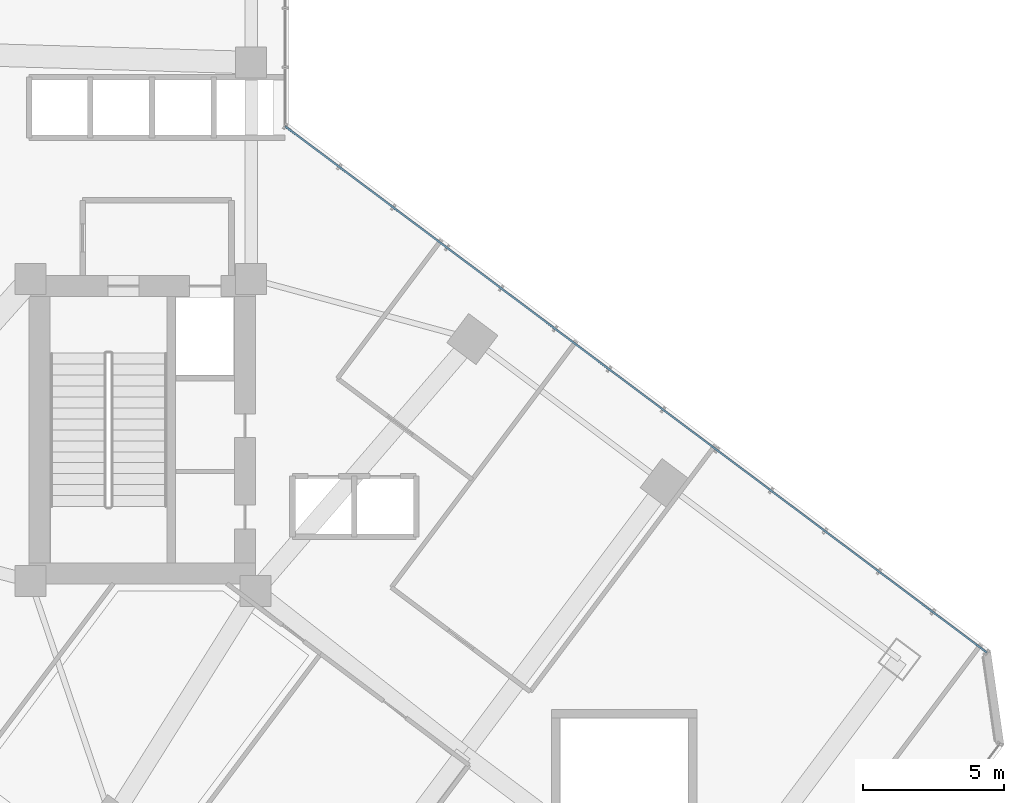
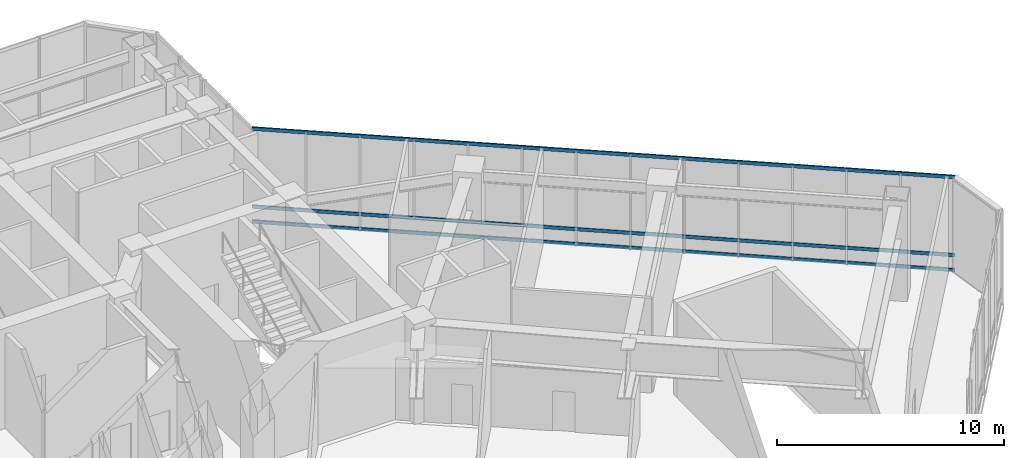
# One storey, part 15 of 38: 3 members, 1 element without a shape of its own.
"""IFC4 building model written with IfcOpenShell, lengths in metres."""

from ifc_helpers import new_model, si_unit, direction, frame, origin, origin_2d, place, context, subcontext, project, spatial, hollow_rectangle, extrude, material, layer, layer_set, material_profile, profile_set, type_object, element, aggregate, save


model = new_model("IFC4")

# Units and contexts
model_context = context("Model", 3, precision=1e-05, world=origin(), true_north=direction((0.0, 1.0)))
body_context = subcontext(model_context, "Body", "Model", "MODEL_VIEW")
ifc_project = project(units=[si_unit("LENGTHUNIT", "METRE"), si_unit("AREAUNIT", "SQUARE_METRE"), si_unit("VOLUMEUNIT", "CUBIC_METRE"), si_unit("PLANEANGLEUNIT", "RADIAN"), si_unit("MASSUNIT", "GRAM", prefix="KILO")], contexts=[model_context])

# Site, building, storey
site_placement = place(None, origin())
site = spatial("IfcSite", under=ifc_project, at=site_placement, CompositionType="ELEMENT")
building_placement = place(site_placement, origin())
building = spatial("IfcBuilding", under=site, at=building_placement, Name="Hatsunagi Terrace Concourse", CompositionType="ELEMENT")
storey_placement = place(building_placement, frame((0.0, 0.0, 21.60009765625)))
storey = spatial("IfcBuildingStorey", under=building, at=storey_placement, Name="L05", CompositionType="ELEMENT", Elevation=21.60009765625)

# Curtain wall, members
ifc_material_1 = material(Name="Anodised Aluminium Alloy 6063-T5", Category="aluminium")
ifc_layer = layer(ifc_material_1, 0.199951171875)
ifc_layer_set = layer_set([ifc_layer], Name="PodiumStorefront_CW01")
curtain_wall_type = type_object("IfcCurtainWallType", Name="PodiumStorefront_CW01", PredefinedType="NOTDEFINED", material=ifc_layer_set)
curtain_wall_placement = place(storey_placement, origin())
curtain_wall = element("IfcCurtainWall", 1, at=curtain_wall_placement, inside=storey, type_object=curtain_wall_type, Name="Unitised Curtain Wall CW-01 CW-L05-01", PredefinedType="NOTDEFINED")
ifc_material_2 = material(Name="Anodised Aluminium Alloy 6063-T5", Category="aluminium")
ifc_material_profile = material_profile(ifc_material_2, hollow_rectangle(XDim=0.070068359375, YDim=0.179931640625, WallThickness=0.00390625, at=origin_2d()), Name="ALU-TRN-180x70x4")
ifc_profile_set = profile_set([ifc_material_profile], Name="Anodised Aluminium Alloy 6063-T5")
member_type = type_object("IfcMemberType", Name="CurtainWallTransom_Heavy_180x70", PredefinedType="USERDEFINED", material=ifc_profile_set)
member_1_placement = place(storey_placement, frame((44.860107421875, 40.72998046875, 0.0498046875), z_axis=(0.800006570398, -0.599991239369, 0.0), x_axis=(0.599991239369, 0.800006570398, 0.0)))
member_1 = element("IfcMember", 2, at=member_1_placement, type_object=member_type, Name="Curtain Wall Transom TRN-01", ObjectType="TRANSOM", PredefinedType="USERDEFINED", context=body_context, shape_type="SweptSolid", body=[
    extrude(hollow_rectangle(XDim=0.070068359375, YDim=0.179931640625, WallThickness=0.00390625, at=origin_2d()), origin(), (0.0, 0.0, 1.0), 31.212158203125),
])
member_2_placement = place(storey_placement, frame((44.860107421875, 40.72998046875, 0.849853515625), z_axis=(0.800006570398, -0.599991239369, 0.0), x_axis=(0.599991239369, 0.800006570398, 0.0)))
member_2 = element("IfcMember", 3, at=member_2_placement, type_object=member_type, Name="Curtain Wall Transom TRN-01", ObjectType="TRANSOM", PredefinedType="USERDEFINED", context=body_context, shape_type="SweptSolid", body=[
    extrude(hollow_rectangle(XDim=0.070068359375, YDim=0.179931640625, WallThickness=0.00390625, at=origin_2d()), origin(), (0.0, 0.0, 1.0), 31.212158203125),
])
member_3_placement = place(storey_placement, frame((44.860107421875, 40.72998046875, 5.0498046875), z_axis=(0.800006570398, -0.599991239369, 0.0), x_axis=(0.599991239369, 0.800006570398, 0.0)))
member_3 = element("IfcMember", 4, at=member_3_placement, type_object=member_type, Name="Curtain Wall Transom TRN-01", ObjectType="TRANSOM", PredefinedType="USERDEFINED", context=body_context, shape_type="SweptSolid", body=[
    extrude(hollow_rectangle(XDim=0.070068359375, YDim=0.179931640625, WallThickness=0.00390625, at=origin_2d()), origin(), (0.0, 0.0, 1.0), 31.212158203125),
])
aggregate(curtain_wall, [member_1, member_2, member_3])

save(model, "model.ifc")
